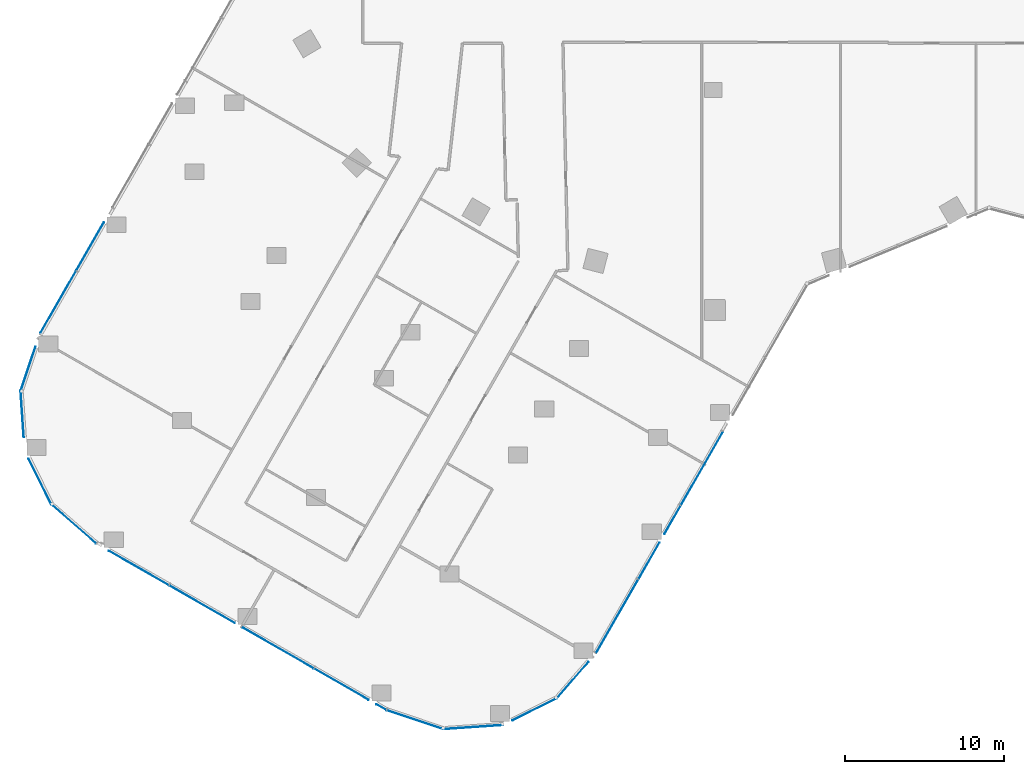
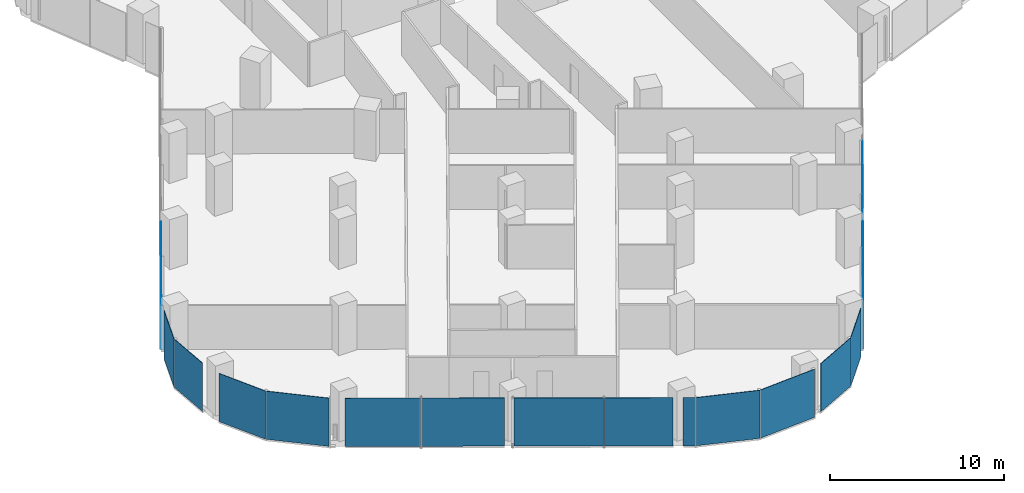
# One storey, part 18 of 34: 19 plates, 11 elements without a shape of their own.
"""IFC4 building model written with IfcOpenShell, lengths in metres."""

from ifc_helpers import new_model, si_unit, direction, frame, origin, origin_2d, place, context, subcontext, project, spatial, rectangle, extrude, material, layer, layer_set, type_object, element, aggregate, save


model = new_model("IFC4")

# Units and contexts
model_context = context("Model", 3, precision=1e-05, world=origin(), true_north=direction((0.0, 1.0)))
body_context = subcontext(model_context, "Body", "Model", "MODEL_VIEW")
ifc_project = project(units=[si_unit("LENGTHUNIT", "METRE"), si_unit("AREAUNIT", "SQUARE_METRE"), si_unit("VOLUMEUNIT", "CUBIC_METRE"), si_unit("PLANEANGLEUNIT", "RADIAN"), si_unit("MASSUNIT", "GRAM", prefix="KILO")], contexts=[model_context])

# Site, building, storey
site_placement = place(None, origin())
site = spatial("IfcSite", under=ifc_project, at=site_placement, CompositionType="ELEMENT")
building_placement = place(site_placement, origin())
building = spatial("IfcBuilding", under=site, at=building_placement, Name="Orlundy Tower", CompositionType="ELEMENT")
storey_placement = place(building_placement, frame((0.0, 0.0, 105.699951171875)))
storey = spatial("IfcBuildingStorey", under=building, at=storey_placement, Name="L26", CompositionType="ELEMENT", Elevation=105.699951171875)

# Curtain wall, plates
ifc_material_1 = material(Name="Aluminium bronze anodised", Category="aluminium")
curtain_wall_type = type_object("IfcCurtainWallType", Name="CW1 wall", PredefinedType="NOTDEFINED", material=ifc_material_1)
curtain_wall_1_placement = place(storey_placement, origin())
curtain_wall_1 = element("IfcCurtainWall", 1, at=curtain_wall_1_placement, inside=storey, type_object=curtain_wall_type, Name="CW1 run 02", PredefinedType="NOTDEFINED")
ifc_material_2 = material(Name="Tinted glass", Category="glass")
ifc_layer = layer(ifc_material_2, 0.031982421875)
ifc_layer_set = layer_set([ifc_layer], Name="CW1 glass panel 32")
plate_type = type_object("IfcPlateType", Name="CW1 glass panel 32", PredefinedType="CURTAIN_PANEL", material=ifc_layer_set)
plate_1_placement = place(storey_placement, frame((-0.7197265625, -41.78759765625, -0.27978515625), z_axis=(0.0, 0.0, 1.0), x_axis=(-0.497473280125, -0.867479299789, 0.0)))
plate_1 = element("IfcPlate", 2, at=plate_1_placement, type_object=plate_type, Name="CW1 panel", PredefinedType="CURTAIN_PANEL", context=body_context, shape_type="SweptSolid", body=[
    extrude(rectangle(XDim=5.306640625, YDim=0.031982421875, at=origin_2d()), origin(), (0.0, 0.0, 1.0), 3.3798828125),
])
plate_2_placement = place(storey_placement, frame((-2.57373046875, -45.0205078125, -0.27978515625), z_axis=(0.0, 0.0, 1.0), x_axis=(-0.497473280125, -0.867479299789, 0.0)))
plate_2 = element("IfcPlate", 3, at=plate_2_placement, type_object=plate_type, Name="CW1 panel", PredefinedType="CURTAIN_PANEL", context=body_context, shape_type="SweptSolid", body=[
    extrude(rectangle(XDim=2.047119140625, YDim=0.031982421875, at=origin_2d()), origin(), (0.0, 0.0, 1.0), 3.3798828125),
])
plate_3_placement = place(storey_placement, frame((-4.053955078125, -47.6015625, -0.27978515625), z_axis=(0.0, 0.0, 1.0), x_axis=(-0.497473280125, -0.867479299789, 0.0)))
plate_3 = element("IfcPlate", 4, at=plate_3_placement, type_object=plate_type, Name="CW1 panel", PredefinedType="CURTAIN_PANEL", context=body_context, shape_type="SweptSolid", body=[
    extrude(rectangle(XDim=2.61572265625, YDim=0.031982421875, at=origin_2d()), origin(), (0.0, 0.0, 1.0), 3.3798828125),
])
plate_4_placement = place(storey_placement, frame((-6.05322265625, -51.088134765625, -0.27978515625), z_axis=(0.0, 0.0, 1.0), x_axis=(-0.497473280125, -0.867479299789, 0.0)))
plate_4 = element("IfcPlate", 5, at=plate_4_placement, type_object=plate_type, Name="CW1 panel", PredefinedType="CURTAIN_PANEL", context=body_context, shape_type="SweptSolid", body=[
    extrude(rectangle(XDim=5.32275390625, YDim=0.031982421875, at=origin_2d()), origin(), (0.0, 0.0, 1.0), 3.3798828125),
])
aggregate(curtain_wall_1, [plate_1, plate_2, plate_3, plate_4])

# Curtain wall, plate
curtain_wall_2_placement = place(storey_placement, origin())
curtain_wall_2 = element("IfcCurtainWall", 6, at=curtain_wall_2_placement, inside=storey, type_object=curtain_wall_type, Name="CW1 run 03", PredefinedType="NOTDEFINED")
plate_5_placement = place(storey_placement, frame((-8.857177734375, -55.1015625, -0.27978515625), z_axis=(0.0, 0.0, 1.0), x_axis=(-0.657166641446, -0.753745318639, 0.0)))
plate_5 = element("IfcPlate", 7, at=plate_5_placement, type_object=plate_type, Name="CW1 panel", PredefinedType="CURTAIN_PANEL", context=body_context, shape_type="SweptSolid", body=[
    extrude(rectangle(XDim=3.045166015625, YDim=0.031982421875, at=origin_2d()), origin(), (0.0, 0.0, 1.0), 3.3798828125),
])
aggregate(curtain_wall_2, [plate_5])

curtain_wall_3_placement = place(storey_placement, origin())
curtain_wall_3 = element("IfcCurtainWall", 8, at=curtain_wall_3_placement, inside=storey, type_object=curtain_wall_type, Name="CW1 run 04", PredefinedType="NOTDEFINED")
plate_6_placement = place(storey_placement, frame((-11.247314453125, -56.939453125, -0.27978515625), z_axis=(0.0, 0.0, 1.0), x_axis=(-0.895610995013, -0.444838111689, 0.0)))
plate_6 = element("IfcPlate", 9, at=plate_6_placement, type_object=plate_type, Name="CW1 panel", PredefinedType="CURTAIN_PANEL", context=body_context, shape_type="SweptSolid", body=[
    extrude(rectangle(XDim=3.10302734375, YDim=0.031982421875, at=origin_2d()), origin(), (0.0, 0.0, 1.0), 3.3798828125),
])
aggregate(curtain_wall_3, [plate_6])

curtain_wall_4_placement = place(storey_placement, origin())
curtain_wall_4 = element("IfcCurtainWall", 10, at=curtain_wall_4_placement, inside=storey, type_object=curtain_wall_type, Name="CW1 run 05", PredefinedType="NOTDEFINED")
plate_7_placement = place(storey_placement, frame((-15.11767578125, -58.056640625, -0.27978515625), z_axis=(0.0, 0.0, 1.0), x_axis=(-0.99764944579, -0.068524326451, 0.0)))
plate_7 = element("IfcPlate", 11, at=plate_7_placement, type_object=plate_type, Name="CW1 panel", PredefinedType="CURTAIN_PANEL", context=body_context, shape_type="SweptSolid", body=[
    extrude(rectangle(XDim=3.77197265625, YDim=0.031982421875, at=origin_2d()), origin(), (0.0, 0.0, 1.0), 3.3798828125),
])
aggregate(curtain_wall_4, [plate_7])

curtain_wall_5_placement = place(storey_placement, origin())
curtain_wall_5 = element("IfcCurtainWall", 12, at=curtain_wall_5_placement, inside=storey, type_object=curtain_wall_type, Name="CW1 run 06", PredefinedType="NOTDEFINED")
plate_8_placement = place(storey_placement, frame((-18.76708984375, -57.591064453125, -0.27978515625), z_axis=(0.0, 0.0, 1.0), x_axis=(-0.947789215135, 0.318897481446, 0.0)))
plate_8 = element("IfcPlate", 13, at=plate_8_placement, type_object=plate_type, Name="CW1 panel", PredefinedType="CURTAIN_PANEL", context=body_context, shape_type="SweptSolid", body=[
    extrude(rectangle(XDim=3.730224609375, YDim=0.031982421875, at=origin_2d()), origin(), (0.0, 0.0, 1.0), 3.3798828125),
])
aggregate(curtain_wall_5, [plate_8])

# Curtain wall, plates
curtain_wall_6_placement = place(storey_placement, origin())
curtain_wall_6 = element("IfcCurtainWall", 14, at=curtain_wall_6_placement, inside=storey, type_object=curtain_wall_type, Name="CW1 run 07", PredefinedType="NOTDEFINED")
plate_9_placement = place(storey_placement, frame((-20.890625, -56.7978515625, -0.27978515625), z_axis=(0.0, 0.0, 1.0), x_axis=(-0.867477274334, 0.497476812036, 0.0)))
plate_9 = element("IfcPlate", 15, at=plate_9_placement, type_object=plate_type, Name="CW1 panel", PredefinedType="CURTAIN_PANEL", context=body_context, shape_type="SweptSolid", body=[
    extrude(rectangle(XDim=0.715087890625, YDim=0.031982421875, at=origin_2d()), origin(), (0.0, 0.0, 1.0), 3.3798828125),
])
plate_10_placement = place(storey_placement, frame((-23.39599609375, -55.361083984375, -0.27978515625), z_axis=(0.0, 0.0, 1.0), x_axis=(-0.867477274334, 0.497476812036, 0.0)))
plate_10 = element("IfcPlate", 16, at=plate_10_placement, type_object=plate_type, Name="CW1 panel", PredefinedType="CURTAIN_PANEL", context=body_context, shape_type="SweptSolid", body=[
    extrude(rectangle(XDim=3.9404296875, YDim=0.031982421875, at=origin_2d()), origin(), (0.0, 0.0, 1.0), 3.3798828125),
])
plate_11_placement = place(storey_placement, frame((-27.38232421875, -53.074951171875, -0.27978515625), z_axis=(0.0, 0.0, 1.0), x_axis=(-0.867477274334, 0.497476812036, 0.0)))
plate_11 = element("IfcPlate", 17, at=plate_11_placement, type_object=plate_type, Name="CW1 panel", PredefinedType="CURTAIN_PANEL", context=body_context, shape_type="SweptSolid", body=[
    extrude(rectangle(XDim=5.150146484375, YDim=0.031982421875, at=origin_2d()), origin(), (0.0, 0.0, 1.0), 3.3798828125),
])
plate_12_placement = place(storey_placement, frame((-32.1572265625, -50.336669921875, -0.27978515625), z_axis=(0.0, 0.0, 1.0), x_axis=(-0.867477274334, 0.497476812036, 0.0)))
plate_12 = element("IfcPlate", 18, at=plate_12_placement, type_object=plate_type, Name="CW1 panel", PredefinedType="CURTAIN_PANEL", context=body_context, shape_type="SweptSolid", body=[
    extrude(rectangle(XDim=4.740966796875, YDim=0.031982421875, at=origin_2d()), origin(), (0.0, 0.0, 1.0), 3.3798828125),
])
plate_13_placement = place(storey_placement, frame((-36.143310546875, -48.05078125, -0.27978515625), z_axis=(0.0, 0.0, 1.0), x_axis=(-0.867477274334, 0.497476812036, 0.0)))
plate_13 = element("IfcPlate", 19, at=plate_13_placement, type_object=plate_type, Name="CW1 panel", PredefinedType="CURTAIN_PANEL", context=body_context, shape_type="SweptSolid", body=[
    extrude(rectangle(XDim=4.34912109375, YDim=0.031982421875, at=origin_2d()), origin(), (0.0, 0.0, 1.0), 3.3798828125),
])
aggregate(curtain_wall_6, [plate_9, plate_10, plate_11, plate_12, plate_13])

# Curtain wall, plate
curtain_wall_7_placement = place(storey_placement, origin())
curtain_wall_7 = element("IfcCurtainWall", 20, at=curtain_wall_7_placement, inside=storey, type_object=curtain_wall_type, Name="CW1 run 08", PredefinedType="NOTDEFINED")
plate_14_placement = place(storey_placement, frame((-40.228515625, -45.282958984375, -0.27978515625), z_axis=(0.0, 0.0, 1.0), x_axis=(-0.753745318639, 0.657166641446, 0.0)))
plate_14 = element("IfcPlate", 21, at=plate_14_placement, type_object=plate_type, Name="CW1 panel", PredefinedType="CURTAIN_PANEL", context=body_context, shape_type="SweptSolid", body=[
    extrude(rectangle(XDim=3.73046875, YDim=0.031982421875, at=origin_2d()), origin(), (0.0, 0.0, 1.0), 3.3798828125),
])
aggregate(curtain_wall_7, [plate_14])

curtain_wall_8_placement = place(storey_placement, origin())
curtain_wall_8 = element("IfcCurtainWall", 22, at=curtain_wall_8_placement, inside=storey, type_object=curtain_wall_type, Name="CW1 run 09", PredefinedType="NOTDEFINED")
plate_15_placement = place(storey_placement, frame((-42.349853515625, -42.6181640625, -0.27978515625), z_axis=(0.0, 0.0, 1.0), x_axis=(-0.445161977313, 0.895450062234, 0.0)))
plate_15 = element("IfcPlate", 23, at=plate_15_placement, type_object=plate_type, Name="CW1 panel", PredefinedType="CURTAIN_PANEL", context=body_context, shape_type="SweptSolid", body=[
    extrude(rectangle(XDim=3.21435546875, YDim=0.031982421875, at=origin_2d()), origin(), (0.0, 0.0, 1.0), 3.3798828125),
])
aggregate(curtain_wall_8, [plate_15])

curtain_wall_9_placement = place(storey_placement, origin())
curtain_wall_9 = element("IfcCurtainWall", 24, at=curtain_wall_9_placement, inside=storey, type_object=curtain_wall_type, Name="CW1 run 010", PredefinedType="NOTDEFINED")
plate_16_placement = place(storey_placement, frame((-43.471435546875, -38.369873046875, -0.27978515625), z_axis=(0.0, 0.0, 1.0), x_axis=(-0.068255804988, 0.997667853088, 0.0)))
plate_16 = element("IfcPlate", 25, at=plate_16_placement, type_object=plate_type, Name="CW1 panel", PredefinedType="CURTAIN_PANEL", context=body_context, shape_type="SweptSolid", body=[
    extrude(rectangle(XDim=2.913330078125, YDim=0.031982421875, at=origin_2d()), origin(), (0.0, 0.0, 1.0), 3.3798828125),
])
aggregate(curtain_wall_9, [plate_16])

curtain_wall_10_placement = place(storey_placement, origin())
curtain_wall_10 = element("IfcCurtainWall", 26, at=curtain_wall_10_placement, inside=storey, type_object=curtain_wall_type, Name="CW1 run 011", PredefinedType="NOTDEFINED")
plate_17_placement = place(storey_placement, frame((-43.101318359375, -35.52099609375, -0.27978515625), z_axis=(0.0, 0.0, 1.0), x_axis=(0.318815956268, 0.947816641566, 0.0)))
plate_17 = element("IfcPlate", 27, at=plate_17_placement, type_object=plate_type, Name="CW1 panel", PredefinedType="CURTAIN_PANEL", context=body_context, shape_type="SweptSolid", body=[
    extrude(rectangle(XDim=2.94482421875, YDim=0.031982421875, at=origin_2d()), origin(), (0.0, 0.0, 1.0), 3.3798828125),
])
aggregate(curtain_wall_10, [plate_17])

# Curtain wall, plates
curtain_wall_11_placement = place(storey_placement, origin())
curtain_wall_11 = element("IfcCurtainWall", 28, at=curtain_wall_11_placement, inside=storey, type_object=curtain_wall_type, Name="CW1 run 012", PredefinedType="NOTDEFINED")
plate_18_placement = place(storey_placement, frame((-41.205322265625, -31.31982421875, -0.27978515625), z_axis=(0.0, 0.0, 1.0), x_axis=(0.497468306172, 0.867482152182, 0.0)))
plate_18 = element("IfcPlate", 29, at=plate_18_placement, type_object=plate_type, Name="CW1 panel", PredefinedType="CURTAIN_PANEL", context=body_context, shape_type="SweptSolid", body=[
    extrude(rectangle(XDim=4.4638671875, YDim=0.031982421875, at=origin_2d()), origin(), (0.0, 0.0, 1.0), 3.3798828125),
])
plate_19_placement = place(storey_placement, frame((-39.20556640625, -27.83251953125, -0.27978515625), z_axis=(0.0, 0.0, 1.0), x_axis=(0.497468306172, 0.867482152182, 0.0)))
plate_19 = element("IfcPlate", 30, at=plate_19_placement, type_object=plate_type, Name="CW1 panel", PredefinedType="CURTAIN_PANEL", context=body_context, shape_type="SweptSolid", body=[
    extrude(rectangle(XDim=3.475830078125, YDim=0.031982421875, at=origin_2d()), origin(), (0.0, 0.0, 1.0), 3.3798828125),
])
aggregate(curtain_wall_11, [plate_18, plate_19])

save(model, "model.ifc")
